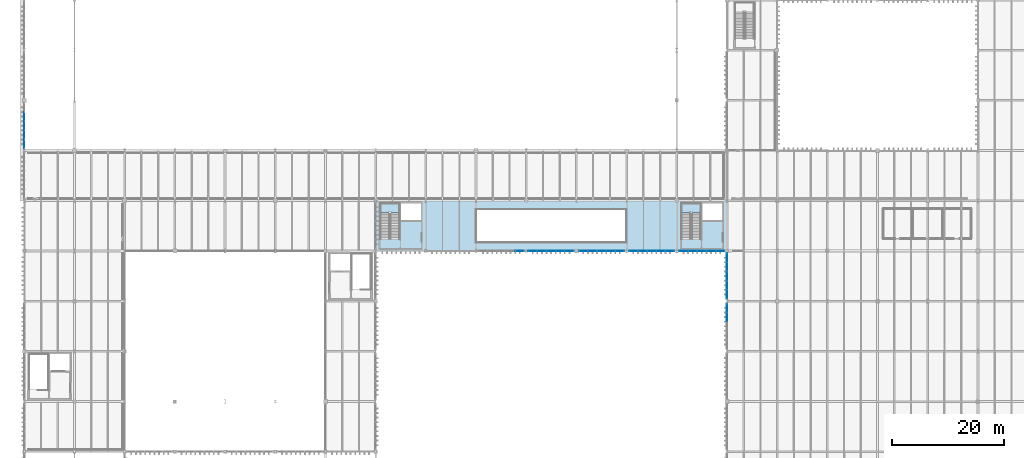
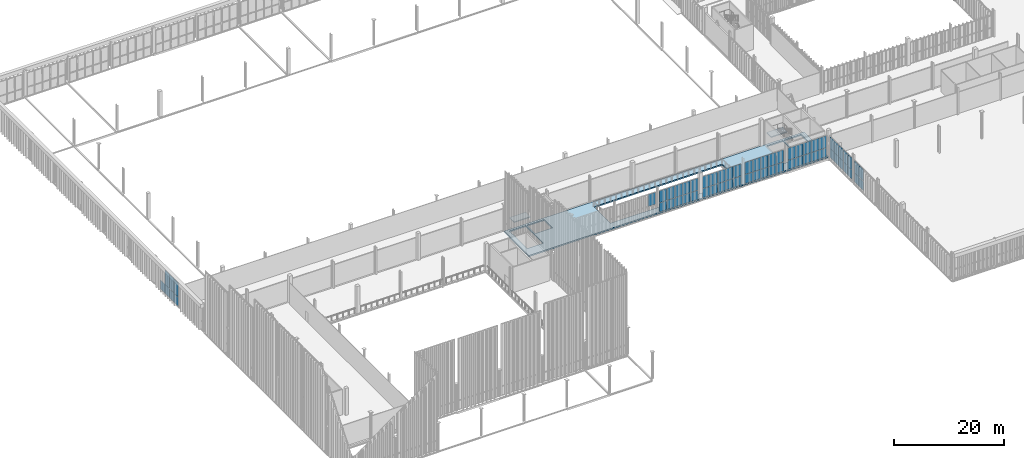
# One storey, part 186 of 237: 62 plates, 3 slabs, 10 elements without a shape of their own.
"""IFC4 building model written with IfcOpenShell, lengths in metres."""

from ifc_helpers import new_model, si_unit, direction, frame, origin, origin_2d, place, context, subcontext, project, spatial, polyline, rectangle, outline, extrude, material, layer, layer_set, type_object, element, aggregate, save


model = new_model("IFC4")

# Units and contexts
model_context = context("Model", 3, precision=1e-05, world=origin(), true_north=direction((0.0, 1.0)))
body_context = subcontext(model_context, "Body", "Model", "MODEL_VIEW")
ifc_project = project(units=[si_unit("LENGTHUNIT", "METRE"), si_unit("AREAUNIT", "SQUARE_METRE"), si_unit("VOLUMEUNIT", "CUBIC_METRE"), si_unit("PLANEANGLEUNIT", "RADIAN"), si_unit("MASSUNIT", "GRAM", prefix="KILO")], contexts=[model_context])

# Site, building, storey
site_placement = place(None, origin())
site = spatial("IfcSite", under=ifc_project, at=site_placement, CompositionType="ELEMENT")
building_placement = place(site_placement, origin())
building = spatial("IfcBuilding", under=site, at=building_placement, Name="Barlavento Convention Centre", CompositionType="ELEMENT")
storey_placement = place(building_placement, frame((0.0, 0.0, 12.0)))
storey = spatial("IfcBuildingStorey", under=building, at=storey_placement, Name="L02", CompositionType="ELEMENT", Elevation=12.0)

# Curtain wall, plate
ifc_material_1 = material(Name="Powder-coated aluminium and Low-E glass", Category="aluminium")
ifc_layer_1 = layer(ifc_material_1, 0.195068359375)
ifc_layer_set_1 = layer_set([ifc_layer_1], Name="ARC-CW-BALL-L02")
curtain_wall_type_1 = type_object("IfcCurtainWallType", Name="ARC-CW-BALL-L02", PredefinedType="NOTDEFINED", material=ifc_layer_set_1)
curtain_wall_1_placement = place(storey_placement, origin())
curtain_wall_1 = element("IfcCurtainWall", 1, at=curtain_wall_1_placement, inside=storey, type_object=curtain_wall_type_1, Name="L02 unitised curtain wall CW07", PredefinedType="NOTDEFINED")
ifc_material_2 = material(Name="Double-silver Low-E acoustic laminated glass", Category="glass")
ifc_layer_2 = layer(ifc_material_2, 0.031982421875)
ifc_layer_set_2 = layer_set([ifc_layer_2], Name="ARC-CWP-GLZ32")
plate_type_1 = type_object("IfcPlateType", Name="ARC-CWP-GLZ32", PredefinedType="CURTAIN_PANEL", material=ifc_layer_set_2)
plate_1_placement = place(storey_placement, frame((88.8173828125, 45.0, 2.13232421875), z_axis=(0.0, 0.0, 1.0), x_axis=(1.0, 0.0, 0.0)))
plate_1 = element("IfcPlate", 2, at=plate_1_placement, type_object=plate_type_1, Name="CW07 panel 5.2", PredefinedType="CURTAIN_PANEL", context=body_context, shape_type="SweptSolid", body=[
    extrude(rectangle(XDim=1.55126953125, YDim=0.031982421875, at=origin_2d()), origin(), (0.0, 0.0, 1.0), 2.652587890625),
])
aggregate(curtain_wall_1, [plate_1])

# Curtain wall, plates
curtain_wall_2_placement = place(storey_placement, origin())
curtain_wall_2 = element("IfcCurtainWall", 3, at=curtain_wall_2_placement, inside=storey, type_object=curtain_wall_type_1, Name="L02 unitised curtain wall CW07", PredefinedType="NOTDEFINED")
plate_2_placement = place(storey_placement, frame((91.18115234375, 45.0, 0.06494140625), z_axis=(0.0, 0.0, 1.0), x_axis=(1.0, 0.0, 0.0)))
plate_2 = element("IfcPlate", 4, at=plate_2_placement, type_object=plate_type_1, Name="CW07 panel 1.1", PredefinedType="CURTAIN_PANEL", context=body_context, shape_type="SweptSolid", body=[
    extrude(rectangle(XDim=1.548095703125, YDim=0.031982421875, at=origin_2d()), origin(), (0.0, 0.0, 1.0), 2.00244140625),
])
plate_3_placement = place(storey_placement, frame((91.18115234375, 45.0, 2.13232421875), z_axis=(0.0, 0.0, 1.0), x_axis=(1.0, 0.0, 0.0)))
plate_3 = element("IfcPlate", 5, at=plate_3_placement, type_object=plate_type_1, Name="CW07 panel 1.2", PredefinedType="CURTAIN_PANEL", context=body_context, shape_type="SweptSolid", body=[
    extrude(rectangle(XDim=1.548095703125, YDim=0.031982421875, at=origin_2d()), origin(), (0.0, 0.0, 1.0), 2.652587890625),
])
plate_4_placement = place(storey_placement, frame((92.810302734375, 45.0, 0.06494140625), z_axis=(0.0, 0.0, 1.0), x_axis=(1.0, 0.0, 0.0)))
plate_4 = element("IfcPlate", 6, at=plate_4_placement, type_object=plate_type_1, Name="CW07 panel 2.1", PredefinedType="CURTAIN_PANEL", context=body_context, shape_type="SweptSolid", body=[
    extrude(rectangle(XDim=1.58056640625, YDim=0.031982421875, at=origin_2d()), origin(), (0.0, 0.0, 1.0), 2.00244140625),
])
plate_5_placement = place(storey_placement, frame((92.810302734375, 45.0, 2.13232421875), z_axis=(0.0, 0.0, 1.0), x_axis=(1.0, 0.0, 0.0)))
plate_5 = element("IfcPlate", 7, at=plate_5_placement, type_object=plate_type_1, Name="CW07 panel 2.2", PredefinedType="CURTAIN_PANEL", context=body_context, shape_type="SweptSolid", body=[
    extrude(rectangle(XDim=1.58056640625, YDim=0.031982421875, at=origin_2d()), origin(), (0.0, 0.0, 1.0), 2.652587890625),
])
plate_6_placement = place(storey_placement, frame((94.4560546875, 45.0, 0.06494140625), z_axis=(0.0, 0.0, 1.0), x_axis=(1.0, 0.0, 0.0)))
plate_6 = element("IfcPlate", 8, at=plate_6_placement, type_object=plate_type_1, Name="CW07 panel 3.1", PredefinedType="CURTAIN_PANEL", context=body_context, shape_type="SweptSolid", body=[
    extrude(rectangle(XDim=1.58056640625, YDim=0.031982421875, at=origin_2d()), origin(), (0.0, 0.0, 1.0), 2.00244140625),
])
plate_7_placement = place(storey_placement, frame((94.4560546875, 45.0, 2.13232421875), z_axis=(0.0, 0.0, 1.0), x_axis=(1.0, 0.0, 0.0)))
plate_7 = element("IfcPlate", 9, at=plate_7_placement, type_object=plate_type_1, Name="CW07 panel 3.2", PredefinedType="CURTAIN_PANEL", context=body_context, shape_type="SweptSolid", body=[
    extrude(rectangle(XDim=1.58056640625, YDim=0.031982421875, at=origin_2d()), origin(), (0.0, 0.0, 1.0), 2.652587890625),
])
plate_8_placement = place(storey_placement, frame((96.1015625, 45.0, 0.06494140625), z_axis=(0.0, 0.0, 1.0), x_axis=(1.0, 0.0, 0.0)))
plate_8 = element("IfcPlate", 10, at=plate_8_placement, type_object=plate_type_1, Name="CW07 panel 4.1", PredefinedType="CURTAIN_PANEL", context=body_context, shape_type="SweptSolid", body=[
    extrude(rectangle(XDim=1.58056640625, YDim=0.031982421875, at=origin_2d()), origin(), (0.0, 0.0, 1.0), 2.00244140625),
])
plate_9_placement = place(storey_placement, frame((96.1015625, 45.0, 2.13232421875), z_axis=(0.0, 0.0, 1.0), x_axis=(1.0, 0.0, 0.0)))
plate_9 = element("IfcPlate", 11, at=plate_9_placement, type_object=plate_type_1, Name="CW07 panel 4.2", PredefinedType="CURTAIN_PANEL", context=body_context, shape_type="SweptSolid", body=[
    extrude(rectangle(XDim=1.58056640625, YDim=0.031982421875, at=origin_2d()), origin(), (0.0, 0.0, 1.0), 2.652587890625),
])
plate_10_placement = place(storey_placement, frame((97.73095703125, 45.0, 0.06494140625), z_axis=(0.0, 0.0, 1.0), x_axis=(1.0, 0.0, 0.0)))
plate_10 = element("IfcPlate", 12, at=plate_10_placement, type_object=plate_type_1, Name="CW07 panel 5.1", PredefinedType="CURTAIN_PANEL", context=body_context, shape_type="SweptSolid", body=[
    extrude(rectangle(XDim=1.548095703125, YDim=0.031982421875, at=origin_2d()), origin(), (0.0, 0.0, 1.0), 2.00244140625),
])
plate_11_placement = place(storey_placement, frame((97.73095703125, 45.0, 2.13232421875), z_axis=(0.0, 0.0, 1.0), x_axis=(1.0, 0.0, 0.0)))
plate_11 = element("IfcPlate", 13, at=plate_11_placement, type_object=plate_type_1, Name="CW07 panel 5.2", PredefinedType="CURTAIN_PANEL", context=body_context, shape_type="SweptSolid", body=[
    extrude(rectangle(XDim=1.548095703125, YDim=0.031982421875, at=origin_2d()), origin(), (0.0, 0.0, 1.0), 2.652587890625),
])
aggregate(curtain_wall_2, [plate_2, plate_3, plate_4, plate_5, plate_6, plate_7, plate_8, plate_9, plate_10, plate_11])

curtain_wall_3_placement = place(storey_placement, origin())
curtain_wall_3 = element("IfcCurtainWall", 14, at=curtain_wall_3_placement, inside=storey, type_object=curtain_wall_type_1, Name="L02 unitised curtain wall CW07", PredefinedType="NOTDEFINED")
plate_12_placement = place(storey_placement, frame((100.26416015625, 45.0, 0.06494140625), z_axis=(0.0, 0.0, 1.0), x_axis=(1.0, 0.0, 0.0)))
plate_12 = element("IfcPlate", 15, at=plate_12_placement, type_object=plate_type_1, Name="CW07 panel 1.1", PredefinedType="CURTAIN_PANEL", context=body_context, shape_type="SweptSolid", body=[
    extrude(rectangle(XDim=1.53857421875, YDim=0.031982421875, at=origin_2d()), origin(), (0.0, 0.0, 1.0), 2.00244140625),
])
plate_13_placement = place(storey_placement, frame((100.26416015625, 45.0, 2.13232421875), z_axis=(0.0, 0.0, 1.0), x_axis=(1.0, 0.0, 0.0)))
plate_13 = element("IfcPlate", 16, at=plate_13_placement, type_object=plate_type_1, Name="CW07 panel 1.2", PredefinedType="CURTAIN_PANEL", context=body_context, shape_type="SweptSolid", body=[
    extrude(rectangle(XDim=1.53857421875, YDim=0.031982421875, at=origin_2d()), origin(), (0.0, 0.0, 1.0), 2.652587890625),
])
plate_14_placement = place(storey_placement, frame((101.884033203125, 45.0, 0.06494140625), z_axis=(0.0, 0.0, 1.0), x_axis=(1.0, 0.0, 0.0)))
plate_14 = element("IfcPlate", 17, at=plate_14_placement, type_object=plate_type_1, Name="CW07 panel 2.1", PredefinedType="CURTAIN_PANEL", context=body_context, shape_type="SweptSolid", body=[
    extrude(rectangle(XDim=1.571044921875, YDim=0.031982421875, at=origin_2d()), origin(), (0.0, 0.0, 1.0), 2.00244140625),
])
plate_15_placement = place(storey_placement, frame((101.884033203125, 45.0, 2.13232421875), z_axis=(0.0, 0.0, 1.0), x_axis=(1.0, 0.0, 0.0)))
plate_15 = element("IfcPlate", 18, at=plate_15_placement, type_object=plate_type_1, Name="CW07 panel 2.2", PredefinedType="CURTAIN_PANEL", context=body_context, shape_type="SweptSolid", body=[
    extrude(rectangle(XDim=1.571044921875, YDim=0.031982421875, at=origin_2d()), origin(), (0.0, 0.0, 1.0), 2.652587890625),
])
plate_16_placement = place(storey_placement, frame((103.52001953125, 45.0, 0.06494140625), z_axis=(0.0, 0.0, 1.0), x_axis=(1.0, 0.0, 0.0)))
plate_16 = element("IfcPlate", 19, at=plate_16_placement, type_object=plate_type_1, Name="CW07 panel 3.1", PredefinedType="CURTAIN_PANEL", context=body_context, shape_type="SweptSolid", body=[
    extrude(rectangle(XDim=1.571044921875, YDim=0.031982421875, at=origin_2d()), origin(), (0.0, 0.0, 1.0), 2.00244140625),
])
plate_17_placement = place(storey_placement, frame((103.52001953125, 45.0, 2.13232421875), z_axis=(0.0, 0.0, 1.0), x_axis=(1.0, 0.0, 0.0)))
plate_17 = element("IfcPlate", 20, at=plate_17_placement, type_object=plate_type_1, Name="CW07 panel 3.2", PredefinedType="CURTAIN_PANEL", context=body_context, shape_type="SweptSolid", body=[
    extrude(rectangle(XDim=1.571044921875, YDim=0.031982421875, at=origin_2d()), origin(), (0.0, 0.0, 1.0), 2.652587890625),
])
plate_18_placement = place(storey_placement, frame((105.156005859375, 45.0, 0.06494140625), z_axis=(0.0, 0.0, 1.0), x_axis=(1.0, 0.0, 0.0)))
plate_18 = element("IfcPlate", 21, at=plate_18_placement, type_object=plate_type_1, Name="CW07 panel 4.1", PredefinedType="CURTAIN_PANEL", context=body_context, shape_type="SweptSolid", body=[
    extrude(rectangle(XDim=1.571044921875, YDim=0.031982421875, at=origin_2d()), origin(), (0.0, 0.0, 1.0), 2.00244140625),
])
plate_19_placement = place(storey_placement, frame((105.156005859375, 45.0, 2.13232421875), z_axis=(0.0, 0.0, 1.0), x_axis=(1.0, 0.0, 0.0)))
plate_19 = element("IfcPlate", 22, at=plate_19_placement, type_object=plate_type_1, Name="CW07 panel 4.2", PredefinedType="CURTAIN_PANEL", context=body_context, shape_type="SweptSolid", body=[
    extrude(rectangle(XDim=1.571044921875, YDim=0.031982421875, at=origin_2d()), origin(), (0.0, 0.0, 1.0), 2.652587890625),
])
plate_20_placement = place(storey_placement, frame((106.775634765625, 45.0, 0.06494140625), z_axis=(0.0, 0.0, 1.0), x_axis=(1.0, 0.0, 0.0)))
plate_20 = element("IfcPlate", 23, at=plate_20_placement, type_object=plate_type_1, Name="CW07 panel 5.1", PredefinedType="CURTAIN_PANEL", context=body_context, shape_type="SweptSolid", body=[
    extrude(rectangle(XDim=1.53857421875, YDim=0.031982421875, at=origin_2d()), origin(), (0.0, 0.0, 1.0), 2.00244140625),
])
plate_21_placement = place(storey_placement, frame((106.775634765625, 45.0, 2.13232421875), z_axis=(0.0, 0.0, 1.0), x_axis=(1.0, 0.0, 0.0)))
plate_21 = element("IfcPlate", 24, at=plate_21_placement, type_object=plate_type_1, Name="CW07 panel 5.2", PredefinedType="CURTAIN_PANEL", context=body_context, shape_type="SweptSolid", body=[
    extrude(rectangle(XDim=1.53857421875, YDim=0.031982421875, at=origin_2d()), origin(), (0.0, 0.0, 1.0), 2.652587890625),
])
aggregate(curtain_wall_3, [plate_12, plate_13, plate_14, plate_15, plate_16, plate_17, plate_18, plate_19, plate_20, plate_21])

curtain_wall_4_placement = place(storey_placement, origin())
curtain_wall_4 = element("IfcCurtainWall", 25, at=curtain_wall_4_placement, inside=storey, type_object=curtain_wall_type_1, Name="L02 unitised curtain wall CW07", PredefinedType="NOTDEFINED")
plate_22_placement = place(storey_placement, frame((109.229248046875, 45.0, 0.06494140625), z_axis=(0.0, 0.0, 1.0), x_axis=(1.0, 0.0, 0.0)))
plate_22 = element("IfcPlate", 26, at=plate_22_placement, type_object=plate_type_1, Name="CW07 panel 1.1", PredefinedType="CURTAIN_PANEL", context=body_context, shape_type="SweptSolid", body=[
    extrude(rectangle(XDim=1.548583984375, YDim=0.031982421875, at=origin_2d()), origin(), (0.0, 0.0, 1.0), 2.00244140625),
])
plate_23_placement = place(storey_placement, frame((109.229248046875, 45.0, 2.13232421875), z_axis=(0.0, 0.0, 1.0), x_axis=(1.0, 0.0, 0.0)))
plate_23 = element("IfcPlate", 27, at=plate_23_placement, type_object=plate_type_1, Name="CW07 panel 1.2", PredefinedType="CURTAIN_PANEL", context=body_context, shape_type="SweptSolid", body=[
    extrude(rectangle(XDim=1.548583984375, YDim=0.031982421875, at=origin_2d()), origin(), (0.0, 0.0, 1.0), 2.652587890625),
])
plate_24_placement = place(storey_placement, frame((110.85888671875, 45.0, 0.06494140625), z_axis=(0.0, 0.0, 1.0), x_axis=(1.0, 0.0, 0.0)))
plate_24 = element("IfcPlate", 28, at=plate_24_placement, type_object=plate_type_1, Name="CW07 panel 2.1", PredefinedType="CURTAIN_PANEL", context=body_context, shape_type="SweptSolid", body=[
    extrude(rectangle(XDim=1.5810546875, YDim=0.031982421875, at=origin_2d()), origin(), (0.0, 0.0, 1.0), 2.00244140625),
])
plate_25_placement = place(storey_placement, frame((110.85888671875, 45.0, 2.13232421875), z_axis=(0.0, 0.0, 1.0), x_axis=(1.0, 0.0, 0.0)))
plate_25 = element("IfcPlate", 29, at=plate_25_placement, type_object=plate_type_1, Name="CW07 panel 2.2", PredefinedType="CURTAIN_PANEL", context=body_context, shape_type="SweptSolid", body=[
    extrude(rectangle(XDim=1.5810546875, YDim=0.031982421875, at=origin_2d()), origin(), (0.0, 0.0, 1.0), 2.652587890625),
])
plate_26_placement = place(storey_placement, frame((112.5048828125, 45.0, 0.06494140625), z_axis=(0.0, 0.0, 1.0), x_axis=(1.0, 0.0, 0.0)))
plate_26 = element("IfcPlate", 30, at=plate_26_placement, type_object=plate_type_1, Name="CW07 panel 3.1", PredefinedType="CURTAIN_PANEL", context=body_context, shape_type="SweptSolid", body=[
    extrude(rectangle(XDim=1.5810546875, YDim=0.031982421875, at=origin_2d()), origin(), (0.0, 0.0, 1.0), 2.00244140625),
])
plate_27_placement = place(storey_placement, frame((112.5048828125, 45.0, 2.13232421875), z_axis=(0.0, 0.0, 1.0), x_axis=(1.0, 0.0, 0.0)))
plate_27 = element("IfcPlate", 31, at=plate_27_placement, type_object=plate_type_1, Name="CW07 panel 3.2", PredefinedType="CURTAIN_PANEL", context=body_context, shape_type="SweptSolid", body=[
    extrude(rectangle(XDim=1.5810546875, YDim=0.031982421875, at=origin_2d()), origin(), (0.0, 0.0, 1.0), 2.652587890625),
])
plate_28_placement = place(storey_placement, frame((114.15087890625, 45.0, 0.06494140625), z_axis=(0.0, 0.0, 1.0), x_axis=(1.0, 0.0, 0.0)))
plate_28 = element("IfcPlate", 32, at=plate_28_placement, type_object=plate_type_1, Name="CW07 panel 4.1", PredefinedType="CURTAIN_PANEL", context=body_context, shape_type="SweptSolid", body=[
    extrude(rectangle(XDim=1.5810546875, YDim=0.031982421875, at=origin_2d()), origin(), (0.0, 0.0, 1.0), 2.00244140625),
])
plate_29_placement = place(storey_placement, frame((114.15087890625, 45.0, 2.13232421875), z_axis=(0.0, 0.0, 1.0), x_axis=(1.0, 0.0, 0.0)))
plate_29 = element("IfcPlate", 33, at=plate_29_placement, type_object=plate_type_1, Name="CW07 panel 4.2", PredefinedType="CURTAIN_PANEL", context=body_context, shape_type="SweptSolid", body=[
    extrude(rectangle(XDim=1.5810546875, YDim=0.031982421875, at=origin_2d()), origin(), (0.0, 0.0, 1.0), 2.652587890625),
])
plate_30_placement = place(storey_placement, frame((115.78076171875, 45.0, 0.06494140625), z_axis=(0.0, 0.0, 1.0), x_axis=(1.0, 0.0, 0.0)))
plate_30 = element("IfcPlate", 34, at=plate_30_placement, type_object=plate_type_1, Name="CW07 panel 5.1", PredefinedType="CURTAIN_PANEL", context=body_context, shape_type="SweptSolid", body=[
    extrude(rectangle(XDim=1.548583984375, YDim=0.031982421875, at=origin_2d()), origin(), (0.0, 0.0, 1.0), 2.00244140625),
])
plate_31_placement = place(storey_placement, frame((115.78076171875, 45.0, 2.13232421875), z_axis=(0.0, 0.0, 1.0), x_axis=(1.0, 0.0, 0.0)))
plate_31 = element("IfcPlate", 35, at=plate_31_placement, type_object=plate_type_1, Name="CW07 panel 5.2", PredefinedType="CURTAIN_PANEL", context=body_context, shape_type="SweptSolid", body=[
    extrude(rectangle(XDim=1.548583984375, YDim=0.031982421875, at=origin_2d()), origin(), (0.0, 0.0, 1.0), 2.652587890625),
])
aggregate(curtain_wall_4, [plate_22, plate_23, plate_24, plate_25, plate_26, plate_27, plate_28, plate_29, plate_30, plate_31])

curtain_wall_5_placement = place(storey_placement, origin())
curtain_wall_5 = element("IfcCurtainWall", 36, at=curtain_wall_5_placement, inside=storey, type_object=curtain_wall_type_1, Name="L02 unitised curtain wall CW07", PredefinedType="NOTDEFINED")
plate_32_placement = place(storey_placement, frame((118.22021484375, 45.0, 0.06494140625), z_axis=(0.0, 0.0, 1.0), x_axis=(1.0, 0.0, 0.0)))
plate_32 = element("IfcPlate", 37, at=plate_32_placement, type_object=plate_type_1, Name="CW07 panel 1.1", PredefinedType="CURTAIN_PANEL", context=body_context, shape_type="SweptSolid", body=[
    extrude(rectangle(XDim=1.550537109375, YDim=0.031982421875, at=origin_2d()), origin(), (0.0, 0.0, 1.0), 2.00244140625),
])
plate_33_placement = place(storey_placement, frame((118.22021484375, 45.0, 2.13232421875), z_axis=(0.0, 0.0, 1.0), x_axis=(1.0, 0.0, 0.0)))
plate_33 = element("IfcPlate", 38, at=plate_33_placement, type_object=plate_type_1, Name="CW07 panel 1.2", PredefinedType="CURTAIN_PANEL", context=body_context, shape_type="SweptSolid", body=[
    extrude(rectangle(XDim=1.550537109375, YDim=0.031982421875, at=origin_2d()), origin(), (0.0, 0.0, 1.0), 2.652587890625),
])
plate_34_placement = place(storey_placement, frame((119.85205078125, 45.0, 0.06494140625), z_axis=(0.0, 0.0, 1.0), x_axis=(1.0, 0.0, 0.0)))
plate_34 = element("IfcPlate", 39, at=plate_34_placement, type_object=plate_type_1, Name="CW07 panel 2.1", PredefinedType="CURTAIN_PANEL", context=body_context, shape_type="SweptSolid", body=[
    extrude(rectangle(XDim=1.5830078125, YDim=0.031982421875, at=origin_2d()), origin(), (0.0, 0.0, 1.0), 2.00244140625),
])
plate_35_placement = place(storey_placement, frame((119.85205078125, 45.0, 2.13232421875), z_axis=(0.0, 0.0, 1.0), x_axis=(1.0, 0.0, 0.0)))
plate_35 = element("IfcPlate", 40, at=plate_35_placement, type_object=plate_type_1, Name="CW07 panel 2.2", PredefinedType="CURTAIN_PANEL", context=body_context, shape_type="SweptSolid", body=[
    extrude(rectangle(XDim=1.5830078125, YDim=0.031982421875, at=origin_2d()), origin(), (0.0, 0.0, 1.0), 2.652587890625),
])
plate_36_placement = place(storey_placement, frame((121.5, 45.0, 0.06494140625), z_axis=(0.0, 0.0, 1.0), x_axis=(1.0, 0.0, 0.0)))
plate_36 = element("IfcPlate", 41, at=plate_36_placement, type_object=plate_type_1, Name="CW07 panel 3.1", PredefinedType="CURTAIN_PANEL", context=body_context, shape_type="SweptSolid", body=[
    extrude(rectangle(XDim=1.5830078125, YDim=0.031982421875, at=origin_2d()), origin(), (0.0, 0.0, 1.0), 2.00244140625),
])
plate_37_placement = place(storey_placement, frame((121.5, 45.0, 2.13232421875), z_axis=(0.0, 0.0, 1.0), x_axis=(1.0, 0.0, 0.0)))
plate_37 = element("IfcPlate", 42, at=plate_37_placement, type_object=plate_type_1, Name="CW07 panel 3.2", PredefinedType="CURTAIN_PANEL", context=body_context, shape_type="SweptSolid", body=[
    extrude(rectangle(XDim=1.5830078125, YDim=0.031982421875, at=origin_2d()), origin(), (0.0, 0.0, 1.0), 2.652587890625),
])
plate_38_placement = place(storey_placement, frame((123.14794921875, 45.0, 0.06494140625), z_axis=(0.0, 0.0, 1.0), x_axis=(1.0, 0.0, 0.0)))
plate_38 = element("IfcPlate", 43, at=plate_38_placement, type_object=plate_type_1, Name="CW07 panel 4.1", PredefinedType="CURTAIN_PANEL", context=body_context, shape_type="SweptSolid", body=[
    extrude(rectangle(XDim=1.5830078125, YDim=0.031982421875, at=origin_2d()), origin(), (0.0, 0.0, 1.0), 2.00244140625),
])
plate_39_placement = place(storey_placement, frame((123.14794921875, 45.0, 2.13232421875), z_axis=(0.0, 0.0, 1.0), x_axis=(1.0, 0.0, 0.0)))
plate_39 = element("IfcPlate", 44, at=plate_39_placement, type_object=plate_type_1, Name="CW07 panel 4.2", PredefinedType="CURTAIN_PANEL", context=body_context, shape_type="SweptSolid", body=[
    extrude(rectangle(XDim=1.5830078125, YDim=0.031982421875, at=origin_2d()), origin(), (0.0, 0.0, 1.0), 2.652587890625),
])
plate_40_placement = place(storey_placement, frame((124.77978515625, 45.0, 0.06494140625), z_axis=(0.0, 0.0, 1.0), x_axis=(1.0, 0.0, 0.0)))
plate_40 = element("IfcPlate", 45, at=plate_40_placement, type_object=plate_type_1, Name="CW07 panel 5.1", PredefinedType="CURTAIN_PANEL", context=body_context, shape_type="SweptSolid", body=[
    extrude(rectangle(XDim=1.550537109375, YDim=0.031982421875, at=origin_2d()), origin(), (0.0, 0.0, 1.0), 2.00244140625),
])
plate_41_placement = place(storey_placement, frame((124.77978515625, 45.0, 2.13232421875), z_axis=(0.0, 0.0, 1.0), x_axis=(1.0, 0.0, 0.0)))
plate_41 = element("IfcPlate", 46, at=plate_41_placement, type_object=plate_type_1, Name="CW07 panel 5.2", PredefinedType="CURTAIN_PANEL", context=body_context, shape_type="SweptSolid", body=[
    extrude(rectangle(XDim=1.550537109375, YDim=0.031982421875, at=origin_2d()), origin(), (0.0, 0.0, 1.0), 2.652587890625),
])
aggregate(curtain_wall_5, [plate_32, plate_33, plate_34, plate_35, plate_36, plate_37, plate_38, plate_39, plate_40, plate_41])

curtain_wall_6_placement = place(storey_placement, origin())
curtain_wall_6 = element("IfcCurtainWall", 47, at=curtain_wall_6_placement, inside=storey, type_object=curtain_wall_type_1, Name="L02 unitised curtain wall CW07", PredefinedType="NOTDEFINED")
plate_42_placement = place(storey_placement, frame((126.0, 33.15087890625, 0.06494140625), z_axis=(0.0, 0.0, 1.0), x_axis=(0.0, 1.0, 0.0)))
plate_42 = element("IfcPlate", 48, at=plate_42_placement, type_object=plate_type_1, Name="CW07 panel 4.1", PredefinedType="CURTAIN_PANEL", context=body_context, shape_type="SweptSolid", body=[
    extrude(rectangle(XDim=1.5810546875, YDim=0.031982421875, at=origin_2d()), origin(), (0.0, 0.0, 1.0), 2.00244140625),
])
plate_43_placement = place(storey_placement, frame((126.0, 33.15087890625, 2.13232421875), z_axis=(0.0, 0.0, 1.0), x_axis=(0.0, 1.0, 0.0)))
plate_43 = element("IfcPlate", 49, at=plate_43_placement, type_object=plate_type_1, Name="CW07 panel 4.2", PredefinedType="CURTAIN_PANEL", context=body_context, shape_type="SweptSolid", body=[
    extrude(rectangle(XDim=1.5810546875, YDim=0.031982421875, at=origin_2d()), origin(), (0.0, 0.0, 1.0), 2.652587890625),
])
plate_44_placement = place(storey_placement, frame((126.0, 34.78076171875, 0.06494140625), z_axis=(0.0, 0.0, 1.0), x_axis=(0.0, 1.0, 0.0)))
plate_44 = element("IfcPlate", 50, at=plate_44_placement, type_object=plate_type_1, Name="CW07 panel 5.1", PredefinedType="CURTAIN_PANEL", context=body_context, shape_type="SweptSolid", body=[
    extrude(rectangle(XDim=1.548583984375, YDim=0.031982421875, at=origin_2d()), origin(), (0.0, 0.0, 1.0), 2.00244140625),
])
plate_45_placement = place(storey_placement, frame((126.0, 34.78076171875, 2.13232421875), z_axis=(0.0, 0.0, 1.0), x_axis=(0.0, 1.0, 0.0)))
plate_45 = element("IfcPlate", 51, at=plate_45_placement, type_object=plate_type_1, Name="CW07 panel 5.2", PredefinedType="CURTAIN_PANEL", context=body_context, shape_type="SweptSolid", body=[
    extrude(rectangle(XDim=1.548583984375, YDim=0.031982421875, at=origin_2d()), origin(), (0.0, 0.0, 1.0), 2.652587890625),
])
aggregate(curtain_wall_6, [plate_42, plate_43, plate_44, plate_45])

curtain_wall_7_placement = place(storey_placement, origin())
curtain_wall_7 = element("IfcCurtainWall", 52, at=curtain_wall_7_placement, inside=storey, type_object=curtain_wall_type_1, Name="L02 unitised curtain wall CW07", PredefinedType="NOTDEFINED")
plate_46_placement = place(storey_placement, frame((126.0, 37.22021484375, 0.06494140625), z_axis=(0.0, 0.0, 1.0), x_axis=(0.0, 1.0, 0.0)))
plate_46 = element("IfcPlate", 53, at=plate_46_placement, type_object=plate_type_1, Name="CW07 panel 1.1", PredefinedType="CURTAIN_PANEL", context=body_context, shape_type="SweptSolid", body=[
    extrude(rectangle(XDim=1.550537109375, YDim=0.031982421875, at=origin_2d()), origin(), (0.0, 0.0, 1.0), 2.00244140625),
])
plate_47_placement = place(storey_placement, frame((126.0, 37.22021484375, 2.13232421875), z_axis=(0.0, 0.0, 1.0), x_axis=(0.0, 1.0, 0.0)))
plate_47 = element("IfcPlate", 54, at=plate_47_placement, type_object=plate_type_1, Name="CW07 panel 1.2", PredefinedType="CURTAIN_PANEL", context=body_context, shape_type="SweptSolid", body=[
    extrude(rectangle(XDim=1.550537109375, YDim=0.031982421875, at=origin_2d()), origin(), (0.0, 0.0, 1.0), 2.652587890625),
])
plate_48_placement = place(storey_placement, frame((126.0, 38.85205078125, 0.06494140625), z_axis=(0.0, 0.0, 1.0), x_axis=(0.0, 1.0, 0.0)))
plate_48 = element("IfcPlate", 55, at=plate_48_placement, type_object=plate_type_1, Name="CW07 panel 2.1", PredefinedType="CURTAIN_PANEL", context=body_context, shape_type="SweptSolid", body=[
    extrude(rectangle(XDim=1.5830078125, YDim=0.031982421875, at=origin_2d()), origin(), (0.0, 0.0, 1.0), 2.00244140625),
])
plate_49_placement = place(storey_placement, frame((126.0, 38.85205078125, 2.13232421875), z_axis=(0.0, 0.0, 1.0), x_axis=(0.0, 1.0, 0.0)))
plate_49 = element("IfcPlate", 56, at=plate_49_placement, type_object=plate_type_1, Name="CW07 panel 2.2", PredefinedType="CURTAIN_PANEL", context=body_context, shape_type="SweptSolid", body=[
    extrude(rectangle(XDim=1.5830078125, YDim=0.031982421875, at=origin_2d()), origin(), (0.0, 0.0, 1.0), 2.652587890625),
])
plate_50_placement = place(storey_placement, frame((126.0, 40.5, 0.06494140625), z_axis=(0.0, 0.0, 1.0), x_axis=(0.0, 1.0, 0.0)))
plate_50 = element("IfcPlate", 57, at=plate_50_placement, type_object=plate_type_1, Name="CW07 panel 3.1", PredefinedType="CURTAIN_PANEL", context=body_context, shape_type="SweptSolid", body=[
    extrude(rectangle(XDim=1.5830078125, YDim=0.031982421875, at=origin_2d()), origin(), (0.0, 0.0, 1.0), 2.00244140625),
])
plate_51_placement = place(storey_placement, frame((126.0, 40.5, 2.13232421875), z_axis=(0.0, 0.0, 1.0), x_axis=(0.0, 1.0, 0.0)))
plate_51 = element("IfcPlate", 58, at=plate_51_placement, type_object=plate_type_1, Name="CW07 panel 3.2", PredefinedType="CURTAIN_PANEL", context=body_context, shape_type="SweptSolid", body=[
    extrude(rectangle(XDim=1.5830078125, YDim=0.031982421875, at=origin_2d()), origin(), (0.0, 0.0, 1.0), 2.652587890625),
])
plate_52_placement = place(storey_placement, frame((126.0, 42.14794921875, 0.06494140625), z_axis=(0.0, 0.0, 1.0), x_axis=(0.0, 1.0, 0.0)))
plate_52 = element("IfcPlate", 59, at=plate_52_placement, type_object=plate_type_1, Name="CW07 panel 4.1", PredefinedType="CURTAIN_PANEL", context=body_context, shape_type="SweptSolid", body=[
    extrude(rectangle(XDim=1.5830078125, YDim=0.031982421875, at=origin_2d()), origin(), (0.0, 0.0, 1.0), 2.00244140625),
])
plate_53_placement = place(storey_placement, frame((126.0, 42.14794921875, 2.13232421875), z_axis=(0.0, 0.0, 1.0), x_axis=(0.0, 1.0, 0.0)))
plate_53 = element("IfcPlate", 60, at=plate_53_placement, type_object=plate_type_1, Name="CW07 panel 4.2", PredefinedType="CURTAIN_PANEL", context=body_context, shape_type="SweptSolid", body=[
    extrude(rectangle(XDim=1.5830078125, YDim=0.031982421875, at=origin_2d()), origin(), (0.0, 0.0, 1.0), 2.652587890625),
])
plate_54_placement = place(storey_placement, frame((126.0, 43.77978515625, 0.06494140625), z_axis=(0.0, 0.0, 1.0), x_axis=(0.0, 1.0, 0.0)))
plate_54 = element("IfcPlate", 61, at=plate_54_placement, type_object=plate_type_1, Name="CW07 panel 5.1", PredefinedType="CURTAIN_PANEL", context=body_context, shape_type="SweptSolid", body=[
    extrude(rectangle(XDim=1.550537109375, YDim=0.031982421875, at=origin_2d()), origin(), (0.0, 0.0, 1.0), 2.00244140625),
])
plate_55_placement = place(storey_placement, frame((126.0, 43.77978515625, 2.13232421875), z_axis=(0.0, 0.0, 1.0), x_axis=(0.0, 1.0, 0.0)))
plate_55 = element("IfcPlate", 62, at=plate_55_placement, type_object=plate_type_1, Name="CW07 panel 5.2", PredefinedType="CURTAIN_PANEL", context=body_context, shape_type="SweptSolid", body=[
    extrude(rectangle(XDim=1.550537109375, YDim=0.031982421875, at=origin_2d()), origin(), (0.0, 0.0, 1.0), 2.652587890625),
])
aggregate(curtain_wall_7, [plate_46, plate_47, plate_48, plate_49, plate_50, plate_51, plate_52, plate_53, plate_54, plate_55])

ifc_layer_3 = layer(ifc_material_1, 0.18505859375)
ifc_layer_set_3 = layer_set([ifc_layer_3], Name="ARC-CW-EXH-L02")
curtain_wall_type_2 = type_object("IfcCurtainWallType", Name="ARC-CW-EXH-L02", PredefinedType="NOTDEFINED", material=ifc_layer_set_3)
curtain_wall_8_placement = place(storey_placement, origin())
curtain_wall_8 = element("IfcCurtainWall", 63, at=curtain_wall_8_placement, inside=storey, type_object=curtain_wall_type_2, Name="L02 unitised curtain wall CW05", PredefinedType="NOTDEFINED")
ifc_material_3 = material(Name="Insulated spandrel glass panel", Category="glass")
ifc_layer_4 = layer(ifc_material_3, 0.0400390625)
ifc_layer_set_4 = layer_set([ifc_layer_4], Name="ARC-CWP-SPN40")
plate_type_2 = type_object("IfcPlateType", Name="ARC-CWP-SPN40", PredefinedType="CURTAIN_PANEL", material=ifc_layer_set_4)
plate_56_placement = place(storey_placement, frame((0.0, 64.18115234375, -0.43994140625), z_axis=(0.0, 0.0, 1.0), x_axis=(0.0, 1.0, 0.0)))
plate_56 = element("IfcPlate", 64, at=plate_56_placement, type_object=plate_type_2, Name="CW05 panel 1.1", PredefinedType="CURTAIN_PANEL", context=body_context, shape_type="SweptSolid", body=[
    extrude(rectangle(XDim=1.548095703125, YDim=0.0400390625, at=origin_2d()), origin(), (0.0, 0.0, 1.0), 2.010009765625),
])
plate_57_placement = place(storey_placement, frame((0.0, 64.18115234375, 1.6298828125), z_axis=(0.0, 0.0, 1.0), x_axis=(0.0, 1.0, 0.0)))
plate_57 = element("IfcPlate", 65, at=plate_57_placement, type_object=plate_type_2, Name="CW05 panel 1.2", PredefinedType="CURTAIN_PANEL", context=body_context, shape_type="SweptSolid", body=[
    extrude(rectangle(XDim=1.548095703125, YDim=0.0400390625, at=origin_2d()), origin(), (0.0, 0.0, 1.0), 3.159912109375),
])
plate_58_placement = place(storey_placement, frame((0.0, 65.810302734375, -0.43994140625), z_axis=(0.0, 0.0, 1.0), x_axis=(0.0, 1.0, 0.0)))
plate_58 = element("IfcPlate", 66, at=plate_58_placement, type_object=plate_type_2, Name="CW05 panel 2.1", PredefinedType="CURTAIN_PANEL", context=body_context, shape_type="SweptSolid", body=[
    extrude(rectangle(XDim=1.58056640625, YDim=0.0400390625, at=origin_2d()), origin(), (0.0, 0.0, 1.0), 2.010009765625),
])
plate_59_placement = place(storey_placement, frame((0.0, 65.810302734375, 1.6298828125), z_axis=(0.0, 0.0, 1.0), x_axis=(0.0, 1.0, 0.0)))
plate_59 = element("IfcPlate", 67, at=plate_59_placement, type_object=plate_type_2, Name="CW05 panel 2.2", PredefinedType="CURTAIN_PANEL", context=body_context, shape_type="SweptSolid", body=[
    extrude(rectangle(XDim=1.58056640625, YDim=0.0400390625, at=origin_2d()), origin(), (0.0, 0.0, 1.0), 3.159912109375),
])
plate_60_placement = place(storey_placement, frame((0.0, 67.4560546875, -0.43994140625), z_axis=(0.0, 0.0, 1.0), x_axis=(0.0, 1.0, 0.0)))
plate_60 = element("IfcPlate", 68, at=plate_60_placement, type_object=plate_type_2, Name="CW05 panel 3.1", PredefinedType="CURTAIN_PANEL", context=body_context, shape_type="SweptSolid", body=[
    extrude(rectangle(XDim=1.58056640625, YDim=0.0400390625, at=origin_2d()), origin(), (0.0, 0.0, 1.0), 2.010009765625),
])
plate_61_placement = place(storey_placement, frame((0.0, 67.4560546875, 1.6298828125), z_axis=(0.0, 0.0, 1.0), x_axis=(0.0, 1.0, 0.0)))
plate_61 = element("IfcPlate", 69, at=plate_61_placement, type_object=plate_type_2, Name="CW05 panel 3.2", PredefinedType="CURTAIN_PANEL", context=body_context, shape_type="SweptSolid", body=[
    extrude(rectangle(XDim=1.58056640625, YDim=0.0400390625, at=origin_2d()), origin(), (0.0, 0.0, 1.0), 3.159912109375),
])
plate_62_placement = place(storey_placement, frame((0.0, 69.1015625, -0.43994140625), z_axis=(0.0, 0.0, 1.0), x_axis=(0.0, 1.0, 0.0)))
plate_62 = element("IfcPlate", 70, at=plate_62_placement, type_object=plate_type_2, Name="CW05 panel 4.1", PredefinedType="CURTAIN_PANEL", context=body_context, shape_type="SweptSolid", body=[
    extrude(rectangle(XDim=1.58056640625, YDim=0.0400390625, at=origin_2d()), origin(), (0.0, 0.0, 1.0), 2.010009765625),
])
aggregate(curtain_wall_8, [plate_56, plate_57, plate_58, plate_59, plate_60, plate_61, plate_62])

# Stair, slab
ifc_material_4 = material(Name="Concrete C40/50", Category="concrete")
stair_type = type_object("IfcStairType", Name="ARC-STR-DOG-1620", PredefinedType="HALF_TURN_STAIR", material=ifc_material_4)
stair_1_placement = place(storey_placement, origin())
stair_1 = element("IfcStair", 71, at=stair_1_placement, inside=storey, type_object=stair_type, Name="L02 ST03", PredefinedType="HALF_TURN_STAIR")
ifc_layer_5 = layer(ifc_material_4, 0.199951171875)
ifc_layer_set_5 = layer_set([ifc_layer_5], Name="ARC-SLB-LND-200")
slab_type_1 = type_object("IfcSlabType", Name="ARC-SLB-LND-200", PredefinedType="LANDING", material=ifc_layer_set_5)
slab_1_placement = place(storey_placement, frame((0.0, 0.0, 2.800048828125)))
slab_1 = element("IfcSlab", 72, at=slab_1_placement, type_object=slab_type_1, Name="ST03 landing 1", PredefinedType="LANDING", context=body_context, shape_type="SweptSolid", body=[
    extrude(outline(polyline([(67.2900390625, 51.85009765625), (67.2900390625, 53.530029296875), (63.85009765625, 53.530029296875), (63.85009765625, 51.85009765625), (67.2900390625, 51.85009765625)])), origin(), (0.0, 0.0, 1.0), 0.199951171875),
])
aggregate(stair_1, [slab_1])

stair_2_placement = place(storey_placement, origin())
stair_2 = element("IfcStair", 73, at=stair_2_placement, inside=storey, type_object=stair_type, Name="L02 ST04", PredefinedType="HALF_TURN_STAIR")
slab_2_placement = place(storey_placement, frame((0.0, 0.0, 2.800048828125)))
slab_2 = element("IfcSlab", 74, at=slab_2_placement, type_object=slab_type_1, Name="ST04 landing 1", PredefinedType="LANDING", context=body_context, shape_type="SweptSolid", body=[
    extrude(outline(polyline([(121.2900390625, 51.85009765625), (121.2900390625, 53.530029296875), (117.85009765625, 53.530029296875), (117.85009765625, 51.85009765625), (121.2900390625, 51.85009765625)])), origin(), (0.0, 0.0, 1.0), 0.199951171875),
])
aggregate(stair_2, [slab_2])

# Slab
ifc_layer_6 = layer(ifc_material_4, 0.2900390625)
ifc_layer_set_6 = layer_set([ifc_layer_6], Name="STR-SLB-FLR-290")
slab_type_2 = type_object("IfcSlabType", Name="STR-SLB-FLR-290", PredefinedType="FLOOR", material=ifc_layer_set_6)
slab_3_placement = place(storey_placement, frame((0.0, 0.0, -0.2900390625)))
element("IfcSlab", 75, at=slab_3_placement, inside=storey, type_object=slab_type_2, Name="L02 structural slab FS-202", PredefinedType="FLOOR", context=body_context, shape_type="SweptSolid", body=[
    extrude(outline(polyline([(63.0, 45.0), (126.0, 45.0), (126.0, 54.0), (63.0, 54.0), (63.0, 45.0)]), holes=[polyline([(67.2900390625, 47.114990234375), (67.2900390625, 53.530029296875), (63.85009765625, 53.530029296875), (63.85009765625, 47.114990234375), (67.2900390625, 47.114990234375)]), polyline([(67.5400390625, 50.4951171875), (71.14990234375, 50.4951171875), (71.14990234375, 53.530029296875), (67.5400390625, 53.530029296875), (67.5400390625, 50.4951171875)]), polyline([(121.2900390625, 47.114990234375), (121.2900390625, 53.530029296875), (117.85009765625, 53.530029296875), (117.85009765625, 47.114990234375), (121.2900390625, 47.114990234375)]), polyline([(121.5400390625, 50.4951171875), (125.14990234375, 50.4951171875), (125.14990234375, 53.530029296875), (121.5400390625, 53.530029296875), (121.5400390625, 50.4951171875)]), polyline([(81.0, 46.5), (108.0, 46.5), (108.0, 52.5), (81.0, 52.5), (81.0, 46.5)])]), origin(), (0.0, 0.0, 1.0), 0.2900390625),
])

save(model, "model.ifc")
